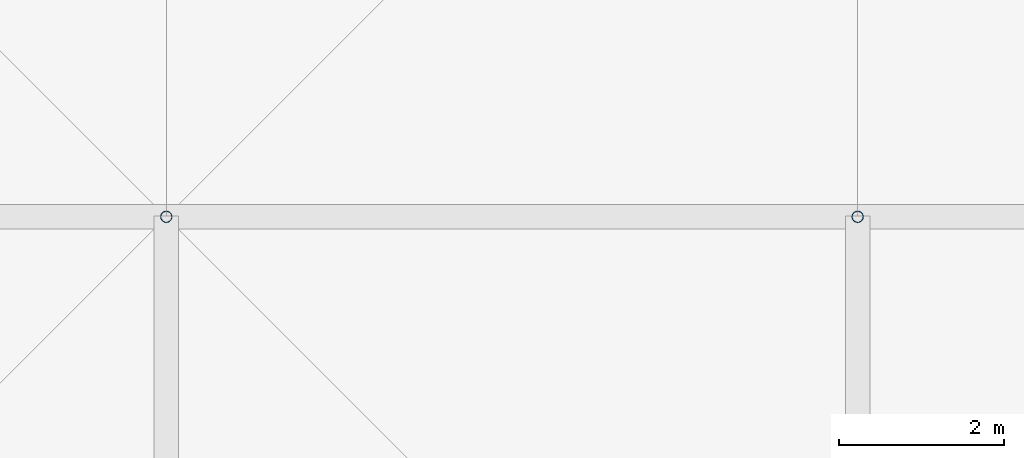
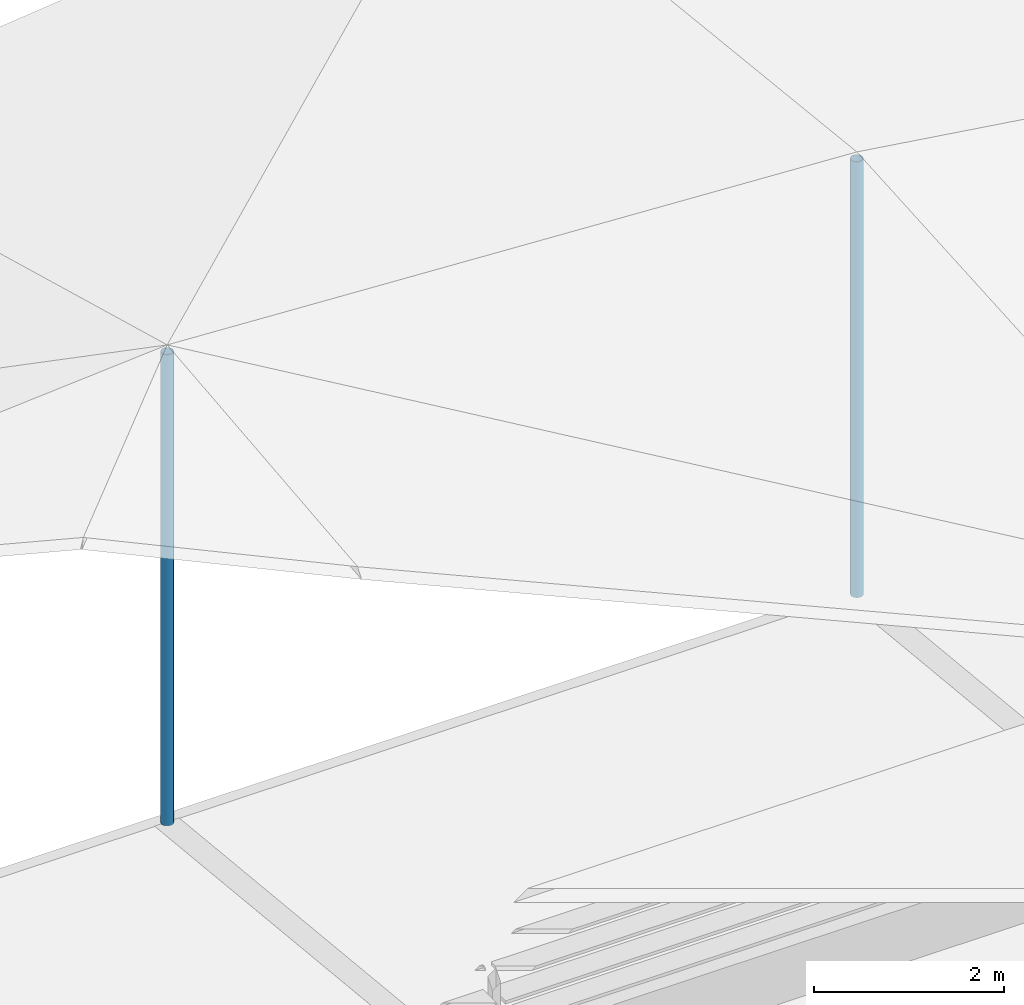
# One storey, part 30 of 46: 2 discrete accessories.
"""IFC4 building model written with IfcOpenShell, lengths in metres."""

from ifc_helpers import new_model, si_unit, direction, frame, origin, origin_2d, place, context, subcontext, project, spatial, hollow_circle, extrude, material, material_profile, profile_set, type_object, element, save


model = new_model("IFC4")

# Units and contexts
model_context = context("Model", 3, precision=1e-05, world=origin(), true_north=direction((0.0, 1.0)))
body_context = subcontext(model_context, "Body", "Model", "MODEL_VIEW")
ifc_project = project(units=[si_unit("LENGTHUNIT", "METRE"), si_unit("AREAUNIT", "SQUARE_METRE"), si_unit("VOLUMEUNIT", "CUBIC_METRE"), si_unit("PLANEANGLEUNIT", "RADIAN"), si_unit("MASSUNIT", "GRAM", prefix="KILO")], contexts=[model_context])

# Site, building, storey
site_placement = place(None, origin())
site = spatial("IfcSite", under=ifc_project, at=site_placement, CompositionType="ELEMENT")
building_placement = place(site_placement, origin())
building = spatial("IfcBuilding", under=site, at=building_placement, Name="Rain Tree Exposition and Congress Centre", CompositionType="ELEMENT")
storey_placement = place(building_placement, frame((0.0, 0.0, 27.0)))
storey = spatial("IfcBuildingStorey", under=building, at=storey_placement, Name="ROOF VAULT CREST", CompositionType="ELEMENT", Elevation=27.0)

# Discrete accessories
ifc_material = material(Name="Steel S355J2H", Category="steel")
ifc_material_profile = material_profile(ifc_material, hollow_circle(Radius=0.06982421875, WallThickness=0.0048828125, at=origin_2d()), Name="CHS 140x5")
ifc_profile_set = profile_set([ifc_material_profile], Name="Steel S355J2H")
discrete_accessory_type = type_object("IfcDiscreteAccessoryType", Name="Roof skin post CHS 140x5", PredefinedType="BRACKET", material=ifc_profile_set)
discrete_accessory_1_placement = place(storey_placement, frame((176.39990234375, 184.800048828125, 0.551025390625), z_axis=(0.0, 0.0, 1.0), x_axis=(1.0, 0.0, 0.0)))
element("IfcDiscreteAccessory", 1, at=discrete_accessory_1_placement, inside=storey, type_object=discrete_accessory_type, Name="Roof skin post B135", PredefinedType="BRACKET", context=body_context, shape_type="SweptSolid", body=[
    extrude(hollow_circle(Radius=0.06982421875, WallThickness=0.0048828125, at=origin_2d()), origin(), (0.0, 0.0, 1.0), 6.06884765625),
])
discrete_accessory_2_placement = place(storey_placement, frame((184.800048828125, 184.800048828125, 0.551025390625), z_axis=(0.0, 0.0, 1.0), x_axis=(1.0, 0.0, 0.0)))
element("IfcDiscreteAccessory", 2, at=discrete_accessory_2_placement, inside=storey, type_object=discrete_accessory_type, Name="Roof skin post B136", PredefinedType="BRACKET", context=body_context, shape_type="SweptSolid", body=[
    extrude(hollow_circle(Radius=0.06982421875, WallThickness=0.0048828125, at=origin_2d()), origin(), (0.0, 0.0, 1.0), 5.61279296875),
])

save(model, "model.ifc")
